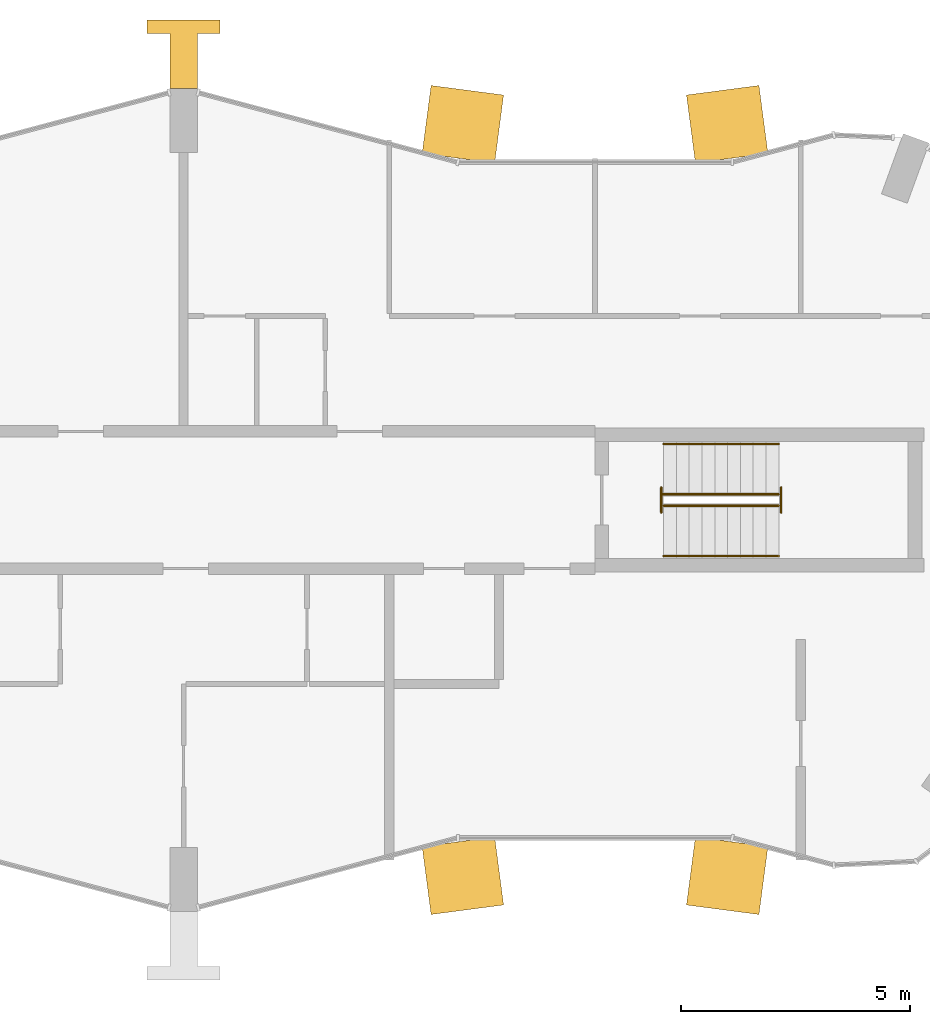
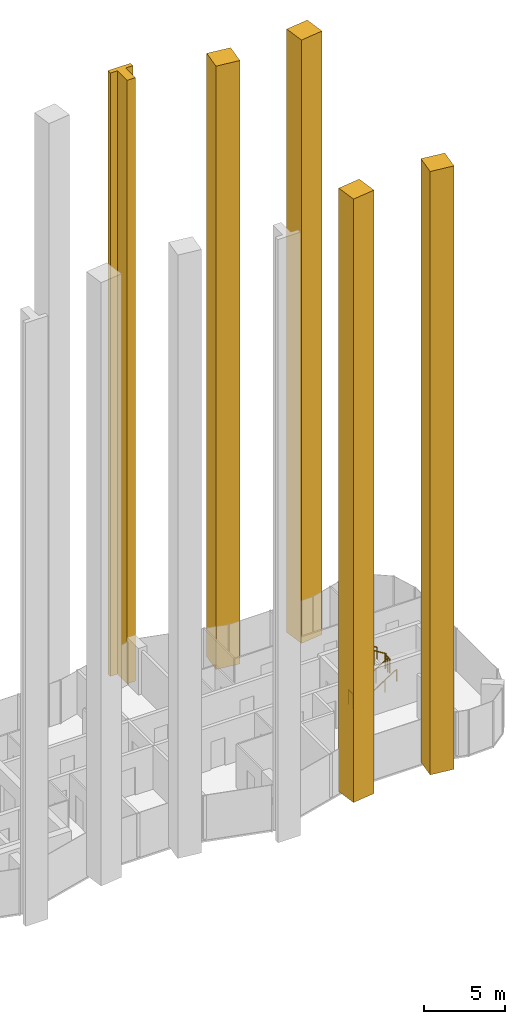
# One storey, part 11 of 11: 6 railings, 5 coverings.
"""IFC4 building model written with IfcOpenShell, lengths in metres."""

from ifc_helpers import new_model, si_unit, direction, frame, origin, origin_2d, place, context, subcontext, project, spatial, polyline, circle, outline, extrude, material, type_object, element, save


model = new_model("IFC4")

# Units and contexts
model_context = context("Model", 3, precision=1e-05, world=origin(), true_north=direction((0.0, 1.0)))
body_context = subcontext(model_context, "Body", "Model", "MODEL_VIEW")
ifc_project = project(units=[si_unit("LENGTHUNIT", "METRE"), si_unit("AREAUNIT", "SQUARE_METRE"), si_unit("VOLUMEUNIT", "CUBIC_METRE"), si_unit("PLANEANGLEUNIT", "RADIAN"), si_unit("MASSUNIT", "GRAM", prefix="KILO")], contexts=[model_context])

# Site, building, storey
site_placement = place(None, origin())
site = spatial("IfcSite", under=ifc_project, at=site_placement, CompositionType="ELEMENT")
building_placement = place(site_placement, origin())
building = spatial("IfcBuilding", under=site, at=building_placement, Name="Plateau Cross Towers", CompositionType="ELEMENT")
storey_placement = place(building_placement, frame((0.0, 0.0, 242.39990234375)))
storey = spatial("IfcBuildingStorey", under=building, at=storey_placement, Name="L63", CompositionType="ELEMENT", Elevation=242.39990234375)

# Coverings
ifc_material_1 = material(Name="Light precast concrete cladding C40/50", Category="concrete")
covering_type_1 = type_object("IfcCoveringType", Name="Flute pier cladding 1600x1500", PredefinedType="CLADDING", material=ifc_material_1)
covering_1_placement = place(storey_placement, origin())
element("IfcCovering", 1, at=covering_1_placement, inside=storey, type_object=covering_type_1, Name="Flute pier", PredefinedType="CLADDING", context=body_context, shape_type="SweptSolid", body=[
    extrude(outline(polyline([(48.7822265625, 16.580322265625), (47.19580078125, 16.37158203125), (47.000244140625, 17.85888671875), (48.58642578125, 18.067626953125), (48.7822265625, 16.580322265625)])), origin(), (0.0, 0.0, 1.0), 45.5),
])
covering_2_placement = place(storey_placement, origin())
element("IfcCovering", 2, at=covering_2_placement, inside=storey, type_object=covering_type_1, Name="Flute pier", PredefinedType="CLADDING", context=body_context, shape_type="SweptSolid", body=[
    extrude(outline(polyline([(42.80419921875, 16.37158203125), (41.2177734375, 16.580322265625), (41.41357421875, 18.067626953125), (42.999755859375, 17.85888671875), (42.80419921875, 16.37158203125)])), origin(), (0.0, 0.0, 1.0), 45.5),
])
covering_3_placement = place(storey_placement, origin())
element("IfcCovering", 3, at=covering_3_placement, inside=storey, type_object=covering_type_1, Name="Flute pier", PredefinedType="CLADDING", context=body_context, shape_type="SweptSolid", body=[
    extrude(outline(polyline([(41.2177734375, 1.419677734375), (42.80419921875, 1.62841796875), (42.999755859375, 0.14111328125), (41.41357421875, -0.067626953125), (41.2177734375, 1.419677734375)])), origin(), (0.0, 0.0, 1.0), 45.5),
])
covering_4_placement = place(storey_placement, origin())
element("IfcCovering", 4, at=covering_4_placement, inside=storey, type_object=covering_type_1, Name="Flute pier", PredefinedType="CLADDING", context=body_context, shape_type="SweptSolid", body=[
    extrude(outline(polyline([(47.19580078125, 1.62841796875), (48.7822265625, 1.419677734375), (48.58642578125, -0.067626953125), (47.000244140625, 0.14111328125), (47.19580078125, 1.62841796875)])), origin(), (0.0, 0.0, 1.0), 45.5),
])
covering_type_2 = type_object("IfcCoveringType", Name="Pier fin cladding 1600x1500", PredefinedType="CLADDING", material=ifc_material_1)
covering_5_placement = place(storey_placement, origin())
element("IfcCovering", 5, at=covering_5_placement, inside=storey, type_object=covering_type_2, Name="Pier fin PR5", PredefinedType="CLADDING", context=body_context, shape_type="SweptSolid", body=[
    extrude(outline(polyline([(35.699951171875, 18.0), (36.300048828125, 18.0), (36.300048828125, 19.199951171875), (36.800048828125, 19.199951171875), (36.800048828125, 19.5), (35.199951171875, 19.5), (35.199951171875, 19.199951171875), (35.699951171875, 19.199951171875), (35.699951171875, 18.0)])), origin(), (0.0, 0.0, 1.0), 45.5),
])

# Railings
ifc_material_2 = material(Name="Stainless steel and toughened glass", Category="steel")
railing_type_1 = type_object("IfcRailingType", Name="RL-GUARD-1100", PredefinedType="GUARDRAIL", material=ifc_material_2)
railing_1_placement = place(storey_placement, frame((46.5, 8.875, 0.175048828125)))
element("IfcRailing", 6, at=railing_1_placement, inside=storey, type_object=railing_type_1, Name="L63 ES-E stair guard 1", PredefinedType="GUARDRAIL", context=body_context, shape_type="SweptSolid", body=[
    extrude(circle(Radius=0.02392578125, at=origin_2d()), frame((0.0, 0.0, 1.076171875), z_axis=(0.848007534815, 0.0, 0.529984170421), x_axis=(0.0, 1.0, 0.0)), (0.0, 0.0, 1.0), 2.9716796875),
    extrude(circle(Radius=0.02099609375, at=origin_2d()), origin(), (0.0, 0.0, 1.0), 1.052001953125),
    extrude(circle(Radius=0.02099609375, at=origin_2d()), frame((0.840087890625, 0.0, 0.52490234375)), (0.0, 0.0, 1.0), 1.052001953125),
    extrude(circle(Radius=0.02099609375, at=origin_2d()), frame((1.679931640625, 0.0, 1.050048828125)), (0.0, 0.0, 1.0), 1.052001953125),
    extrude(circle(Radius=0.02099609375, at=origin_2d()), frame((2.52001953125, 0.0, 1.574951171875)), (0.0, 0.0, 1.0), 1.052001953125),
])
railing_2_placement = place(storey_placement, frame((49.070068359375, 8.72509765625, 1.75)))
element("IfcRailing", 7, at=railing_2_placement, inside=storey, type_object=railing_type_1, Name="L63 ES-E stair guard 2", PredefinedType="GUARDRAIL", context=body_context, shape_type="SweptSolid", body=[
    extrude(circle(Radius=0.02392578125, at=origin_2d()), frame((0.0, 0.0, 1.076171875), z_axis=(0.0, 1.0, 0.0), x_axis=(-1.0, 0.0, 0.0)), (0.0, 0.0, 1.0), 0.5498046875),
    extrude(circle(Radius=0.02099609375, at=origin_2d()), origin(), (0.0, 0.0, 1.0), 1.052001953125),
    extrude(circle(Radius=0.02099609375, at=origin_2d()), frame((0.0, 0.5498046875, 0.0)), (0.0, 0.0, 1.0), 1.052001953125),
])
railing_3_placement = place(storey_placement, frame((49.02001953125, 9.125, 1.925048828125)))
element("IfcRailing", 8, at=railing_3_placement, inside=storey, type_object=railing_type_1, Name="L63 ES-E stair guard 3", PredefinedType="GUARDRAIL", context=body_context, shape_type="SweptSolid", body=[
    extrude(circle(Radius=0.02392578125, at=origin_2d()), frame((0.0, 0.0, 1.076171875), z_axis=(-0.852638500773, 0.0, 0.522501279423), x_axis=(0.0, -1.0, 0.0)), (0.0, 0.0, 1.0), 3.01416015625),
    extrude(circle(Radius=0.02099609375, at=origin_2d()), origin(), (0.0, 0.0, 1.0), 1.052001953125),
    extrude(circle(Radius=0.02099609375, at=origin_2d()), frame((-0.856689453125, 0.0, 0.52490234375)), (0.0, 0.0, 1.0), 1.052001953125),
    extrude(circle(Radius=0.02099609375, at=origin_2d()), frame((-1.71337890625, 0.0, 1.050048828125)), (0.0, 0.0, 1.0), 1.052001953125),
    extrude(circle(Radius=0.02099609375, at=origin_2d()), frame((-2.570068359375, 0.0, 1.574951171875)), (0.0, 0.0, 1.0), 1.052001953125),
])
railing_4_placement = place(storey_placement, frame((46.449951171875, 8.72509765625, 0.0)))
element("IfcRailing", 9, at=railing_4_placement, inside=storey, type_object=railing_type_1, Name="L63 ES-E stair guard 4", PredefinedType="GUARDRAIL", context=body_context, shape_type="SweptSolid", body=[
    extrude(circle(Radius=0.02392578125, at=origin_2d()), frame((0.0, 0.0, 1.076171875), z_axis=(0.0, 1.0, 0.0), x_axis=(-1.0, 0.0, 0.0)), (0.0, 0.0, 1.0), 0.5498046875),
    extrude(circle(Radius=0.02099609375, at=origin_2d()), origin(), (0.0, 0.0, 1.0), 1.052001953125),
    extrude(circle(Radius=0.02099609375, at=origin_2d()), frame((0.0, 0.5498046875, 0.0)), (0.0, 0.0, 1.0), 1.052001953125),
])
ifc_material_3 = material(Name="Black anodised aluminium", Category="aluminium")
railing_type_2 = type_object("IfcRailingType", Name="RL-HANDRAIL-900", PredefinedType="HANDRAIL", material=ifc_material_3)
railing_5_placement = place(storey_placement, frame((46.5, 7.77490234375, 0.175048828125)))
element("IfcRailing", 10, at=railing_5_placement, inside=storey, type_object=railing_type_2, Name="L63 ES-E stair handrail 1", PredefinedType="HANDRAIL", context=body_context, shape_type="SweptSolid", body=[
    extrude(circle(Radius=0.02392578125, at=origin_2d()), frame((0.0, 0.0, 0.8759765625), z_axis=(0.848007534815, 0.0, 0.529984170421), x_axis=(0.0, 1.0, 0.0)), (0.0, 0.0, 1.0), 2.9716796875),
    extrude(circle(Radius=0.02099609375, at=origin_2d()), origin(), (0.0, 0.0, 1.0), 0.851806640625),
    extrude(circle(Radius=0.02099609375, at=origin_2d()), frame((0.840087890625, 0.0, 0.52490234375)), (0.0, 0.0, 1.0), 0.851806640625),
    extrude(circle(Radius=0.02099609375, at=origin_2d()), frame((1.679931640625, 0.0, 1.050048828125)), (0.0, 0.0, 1.0), 0.851806640625),
    extrude(circle(Radius=0.02099609375, at=origin_2d()), frame((2.52001953125, 0.0, 1.574951171875)), (0.0, 0.0, 1.0), 0.851806640625),
])
railing_6_placement = place(storey_placement, frame((49.02001953125, 10.22509765625, 1.925048828125)))
element("IfcRailing", 11, at=railing_6_placement, inside=storey, type_object=railing_type_2, Name="L63 ES-E stair handrail 2", PredefinedType="HANDRAIL", context=body_context, shape_type="SweptSolid", body=[
    extrude(circle(Radius=0.02392578125, at=origin_2d()), frame((0.0, 0.0, 0.8759765625), z_axis=(-0.848007534815, 0.0, 0.529984170421), x_axis=(0.0, -1.0, 0.0)), (0.0, 0.0, 1.0), 2.9716796875),
    extrude(circle(Radius=0.02099609375, at=origin_2d()), origin(), (0.0, 0.0, 1.0), 0.851806640625),
    extrude(circle(Radius=0.02099609375, at=origin_2d()), frame((-0.840087890625, 0.0, 0.52490234375)), (0.0, 0.0, 1.0), 0.851806640625),
    extrude(circle(Radius=0.02099609375, at=origin_2d()), frame((-1.679931640625, 0.0, 1.050048828125)), (0.0, 0.0, 1.0), 0.851806640625),
    extrude(circle(Radius=0.02099609375, at=origin_2d()), frame((-2.52001953125, 0.0, 1.574951171875)), (0.0, 0.0, 1.0), 0.851806640625),
])

save(model, "model.ifc")
